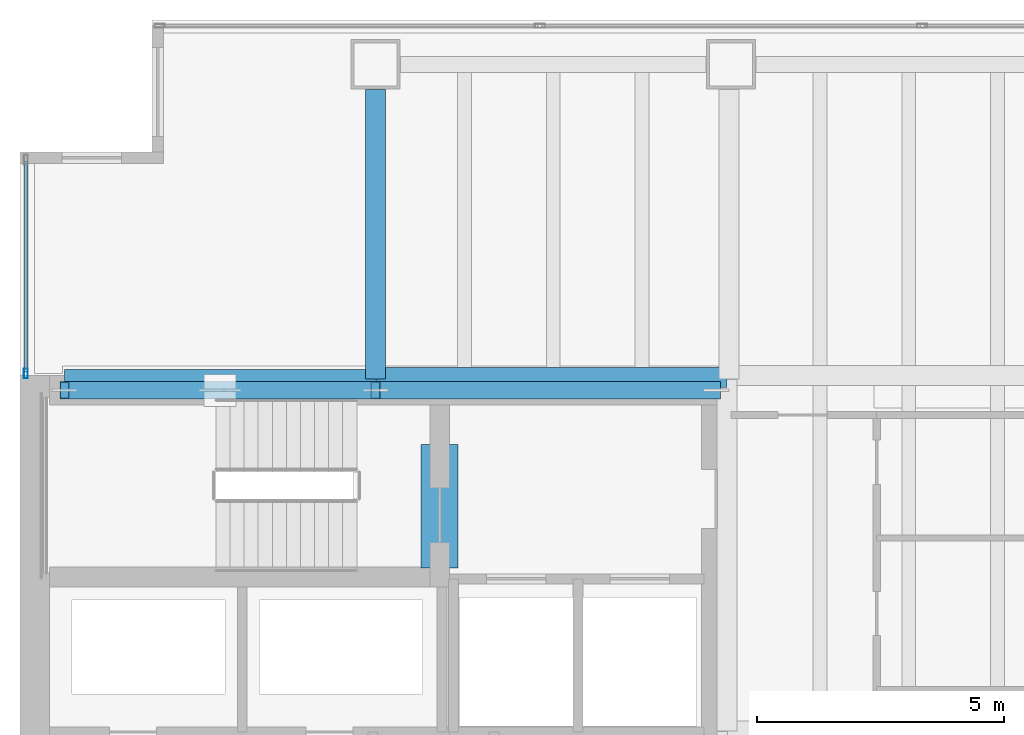
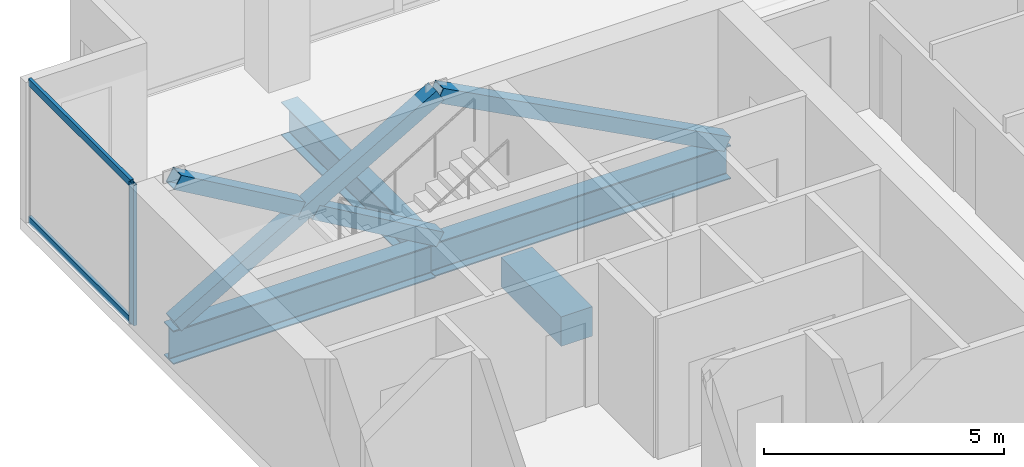
# One storey, part 14 of 23: 7 members, 4 beams, 1 element without a shape of its own.
"""IFC4 building model written with IfcOpenShell, lengths in metres."""

from ifc_helpers import new_model, si_unit, direction, frame, origin, origin_2d, place, context, subcontext, project, spatial, rectangle, hollow_rectangle, i_section, extrude, material, material_profile, profile_set, type_object, element, aggregate, save


model = new_model("IFC4")

# Units and contexts
model_context = context("Model", 3, precision=1e-05, world=origin(), true_north=direction((0.0, 1.0)))
body_context = subcontext(model_context, "Body", "Model", "MODEL_VIEW")
ifc_project = project(units=[si_unit("LENGTHUNIT", "METRE"), si_unit("AREAUNIT", "SQUARE_METRE"), si_unit("VOLUMEUNIT", "CUBIC_METRE"), si_unit("PLANEANGLEUNIT", "RADIAN"), si_unit("MASSUNIT", "GRAM", prefix="KILO")], contexts=[model_context])

# Site, building, storey
site_placement = place(None, origin())
site = spatial("IfcSite", under=ifc_project, at=site_placement, CompositionType="ELEMENT")
building_placement = place(site_placement, origin())
building = spatial("IfcBuilding", under=site, at=building_placement, Name="Cobrela Telecom Tower", CompositionType="ELEMENT")
storey_placement = place(building_placement, frame((0.0, 0.0, 50.39990234375)))
storey = spatial("IfcBuildingStorey", under=building, at=storey_placement, Name="L12", CompositionType="ELEMENT", Elevation=50.39990234375)

# Beams
ifc_material_1 = material(Name="Concrete C40/50", Category="concrete")
ifc_material_profile_1 = material_profile(ifc_material_1, rectangle(XDim=0.75, YDim=0.75, at=origin_2d()), Name="RC 750x750")
ifc_profile_set_1 = profile_set([ifc_material_profile_1], Name="Concrete C40/50")
beam_type_1 = type_object("IfcBeamType", Name="BM-COUP-RC", PredefinedType="LINTEL", material=ifc_profile_set_1)
beam_1_placement = place(storey_placement, frame((8.5, 32.10009765625, -0.6298828125), z_axis=(0.0, 1.0, 0.0), x_axis=(-1.0, 0.0, 0.0)))
element("IfcBeam", 1, at=beam_1_placement, inside=storey, type_object=beam_type_1, Name="L12 Core Coupling Lintel Beam", PredefinedType="LINTEL", context=body_context, shape_type="SweptSolid", body=[
    extrude(rectangle(XDim=0.75, YDim=0.75, at=origin_2d()), origin(), (0.0, 0.0, 1.0), 2.5),
])
ifc_material_2 = material(Name="Steel ASTM A992 Grade 50", Category="steel")
ifc_material_profile_2 = material_profile(ifc_material_2, i_section(OverallWidth=0.39892578125, OverallDepth=0.85595703125, WebThickness=0.018310546875, FlangeThickness=0.029296875, FilletRadius=0.02001953125, at=origin_2d()), Name="W33X201")
ifc_profile_set_2 = profile_set([ifc_material_profile_2], Name="Steel ASTM A992 Grade 50")
beam_type_2 = type_object("IfcBeamType", Name="BM-GIRD-03", PredefinedType="USERDEFINED", material=ifc_profile_set_2)
beam_2_placement = place(storey_placement, frame((0.905029296875, 35.919921875, -0.7080078125), z_axis=(1.0, 0.0, 0.0), x_axis=(0.0, 1.0, 0.0)))
element("IfcBeam", 2, at=beam_2_placement, inside=storey, type_object=beam_type_2, Name="L12 Primary Girder X25", ObjectType="GIRDER", PredefinedType="USERDEFINED", context=body_context, shape_type="SweptSolid", body=[
    extrude(i_section(OverallWidth=0.39892578125, OverallDepth=0.85595703125, WebThickness=0.018310546875, FlangeThickness=0.029296875, FilletRadius=0.02001953125, at=origin_2d()), origin(), (0.0, 0.0, 1.0), 6.2900390625),
])
beam_3_placement = place(storey_placement, frame((7.205078125, 35.9599609375, -0.7080078125), z_axis=(1.0, 0.0, 0.0), x_axis=(0.0, 1.0, 0.0)))
element("IfcBeam", 3, at=beam_3_placement, inside=storey, type_object=beam_type_2, Name="L12 Primary Girder X26", ObjectType="GIRDER", PredefinedType="USERDEFINED", context=body_context, shape_type="SweptSolid", body=[
    extrude(i_section(OverallWidth=0.39892578125, OverallDepth=0.85595703125, WebThickness=0.018310546875, FlangeThickness=0.029296875, FilletRadius=0.02001953125, at=origin_2d()), origin(), (0.0, 0.0, 1.0), 7.10986328125),
])
beam_4_placement = place(storey_placement, frame((7.199951171875, 35.925048828125, -0.7080078125), z_axis=(0.0, 1.0, 0.0), x_axis=(-1.0, 0.0, 0.0)))
element("IfcBeam", 4, at=beam_4_placement, inside=storey, type_object=beam_type_2, Name="L12 Primary Girder Y33", ObjectType="GIRDER", PredefinedType="USERDEFINED", context=body_context, shape_type="SweptSolid", body=[
    extrude(i_section(OverallWidth=0.39892578125, OverallDepth=0.85595703125, WebThickness=0.018310546875, FlangeThickness=0.029296875, FilletRadius=0.02001953125, at=origin_2d()), origin(), (0.0, 0.0, 1.0), 5.869873046875),
])

# Curtain wall, members
ifc_material_3 = material(Name="Anodized Bronze Aluminium 6063-T6", Category="aluminium")
curtain_wall_type = type_object("IfcCurtainWallType", Name="CW-SYS-DATA", PredefinedType="USERDEFINED", material=ifc_material_3)
curtain_wall_placement = place(storey_placement, origin())
curtain_wall = element("IfcCurtainWall", 5, at=curtain_wall_placement, inside=storey, type_object=curtain_wall_type, Name="L12 Unitised Bronze Curtain Wall 04", ObjectType="UNITISED CURTAIN WALL", PredefinedType="USERDEFINED")
ifc_material_profile_3 = material_profile(ifc_material_3, hollow_rectangle(XDim=0.080078125, YDim=0.199951171875, WallThickness=0.00390625, at=origin_2d()), Name="ALU 80x200x4")
ifc_profile_set_3 = profile_set([ifc_material_profile_3], Name="Anodized Bronze Aluminium 6063-T6")
member_type_1 = type_object("IfcMemberType", Name="CW-SYS-DATA-MUL", PredefinedType="MULLION", material=ifc_profile_set_3)
member_1_placement = place(storey_placement, frame((0.1201171875, 36.0400390625, 0.0), z_axis=(0.0, 0.0, 1.0), x_axis=(-1.0, 0.0, 0.0)))
member_1 = element("IfcMember", 6, at=member_1_placement, type_object=member_type_1, Name="CW-DATA mullion 1", PredefinedType="MULLION", context=body_context, shape_type="SweptSolid", body=[
    extrude(hollow_rectangle(XDim=0.080078125, YDim=0.199951171875, WallThickness=0.00390625, at=origin_2d()), origin(), (0.0, 0.0, 1.0), 3.570068359375),
])
ifc_material_profile_4 = material_profile(ifc_material_3, hollow_rectangle(XDim=0.074951171875, YDim=0.179931640625, WallThickness=0.00390625, at=origin_2d()), Name="ALU 75x180x4")
ifc_profile_set_4 = profile_set([ifc_material_profile_4], Name="Anodized Bronze Aluminium 6063-T6")
member_type_2 = type_object("IfcMemberType", Name="CW-SYS-DATA-TRN", PredefinedType="USERDEFINED", material=ifc_profile_set_4)
member_2_placement = place(storey_placement, frame((0.1201171875, 36.080078125, 0.03759765625), z_axis=(0.0, 1.0, 0.0), x_axis=(-1.0, 0.0, 0.0)))
member_2 = element("IfcMember", 7, at=member_2_placement, type_object=member_type_2, Name="CW-DATA transom 1.1", ObjectType="TRANSOM", PredefinedType="USERDEFINED", context=body_context, shape_type="SweptSolid", body=[
    extrude(hollow_rectangle(XDim=0.074951171875, YDim=0.179931640625, WallThickness=0.00390625, at=origin_2d()), origin(), (0.0, 0.0, 1.0), 4.25),
])
member_3_placement = place(storey_placement, frame((0.1201171875, 36.080078125, 3.53271484375), z_axis=(0.0, 1.0, 0.0), x_axis=(-1.0, 0.0, 0.0)))
member_3 = element("IfcMember", 8, at=member_3_placement, type_object=member_type_2, Name="CW-DATA transom 1.2", ObjectType="TRANSOM", PredefinedType="USERDEFINED", context=body_context, shape_type="SweptSolid", body=[
    extrude(hollow_rectangle(XDim=0.074951171875, YDim=0.179931640625, WallThickness=0.00390625, at=origin_2d()), origin(), (0.0, 0.0, 1.0), 4.25),
])
aggregate(curtain_wall, [member_1, member_2, member_3])

# Members
ifc_material_4 = material(Name="Steel ASTM A572 Grade 50", Category="steel")
ifc_material_profile_5 = material_profile(ifc_material_4, hollow_rectangle(XDim=0.35009765625, YDim=0.35009765625, WallThickness=0.01611328125, at=origin_2d()), Name="HSS 350x350x16")
ifc_profile_set_5 = profile_set([ifc_material_profile_5], Name="Steel ASTM A572 Grade 50")
member_type_3 = type_object("IfcMemberType", Name="MBR-EXO-02", PredefinedType="BRACE", material=ifc_profile_set_5)
member_4_placement = place(storey_placement, frame((0.89990234375, 35.699951171875, -0.039794921875), z_axis=(0.865277025542, 0.0, 0.501293994647), x_axis=(0.0, 1.0, 0.0)))
element("IfcMember", 9, at=member_4_placement, inside=storey, type_object=member_type_3, Name="L12 Core Flange Steel X-Brace Continuous A", PredefinedType="BRACE", context=body_context, shape_type="SweptSolid", body=[
    extrude(hollow_rectangle(XDim=0.35009765625, YDim=0.35009765625, WallThickness=0.01611328125, at=origin_2d()), origin(), (0.0, 0.0, 1.0), 7.281005859375),
])
member_5_placement = place(storey_placement, frame((7.199951171875, 35.699951171875, -0.039794921875), z_axis=(-0.865296850073, 0.0, 0.501259774223), x_axis=(0.0, -1.0, 0.0)))
element("IfcMember", 10, at=member_5_placement, inside=storey, type_object=member_type_3, Name="L12 Core Flange Steel X-Brace Split B1", PredefinedType="BRACE", context=body_context, shape_type="SweptSolid", body=[
    extrude(hollow_rectangle(XDim=0.35009765625, YDim=0.35009765625, WallThickness=0.01611328125, at=origin_2d()), origin(), (0.0, 0.0, 1.0), 3.4443359375),
])
member_6_placement = place(storey_placement, frame((3.88037109375, 35.699951171875, 1.88330078125), z_axis=(-0.865266106373, 0.0, 0.50131284161), x_axis=(0.0, -1.0, 0.0)))
element("IfcMember", 11, at=member_6_placement, inside=storey, type_object=member_type_3, Name="L12 Core Flange Steel X-Brace Split B2", PredefinedType="BRACE", context=body_context, shape_type="SweptSolid", body=[
    extrude(hollow_rectangle(XDim=0.35009765625, YDim=0.35009765625, WallThickness=0.01611328125, at=origin_2d()), origin(), (0.0, 0.0, 1.0), 3.444580078125),
])
member_7_placement = place(storey_placement, frame((14.10009765625, 35.699951171875, -0.039794921875), z_axis=(-0.883952947778, 0.0, 0.467575861348), x_axis=(0.0, -1.0, 0.0)))
element("IfcMember", 12, at=member_7_placement, inside=storey, type_object=member_type_3, Name="L12 Core Flange Steel Brace N2", PredefinedType="BRACE", context=body_context, shape_type="SweptSolid", body=[
    extrude(hollow_rectangle(XDim=0.35009765625, YDim=0.35009765625, WallThickness=0.01611328125, at=origin_2d()), origin(), (0.0, 0.0, 1.0), 7.805908203125),
])

save(model, "model.ifc")
